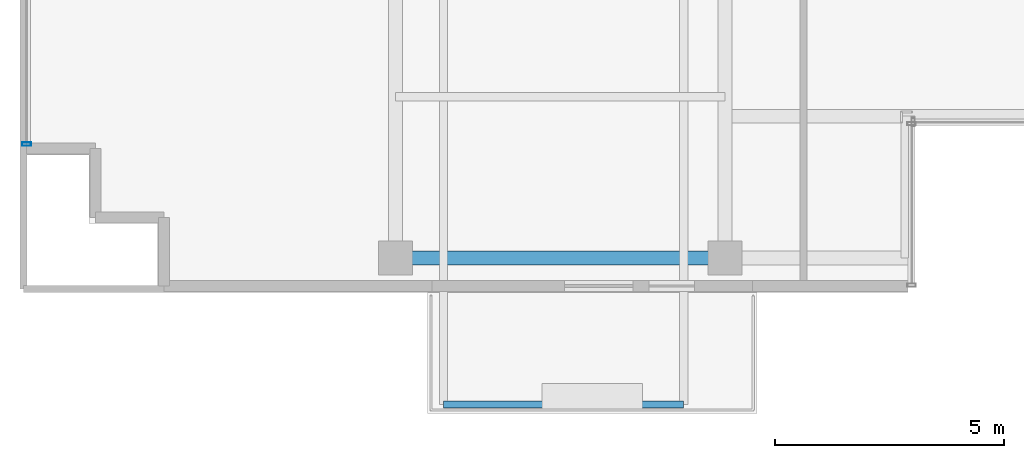
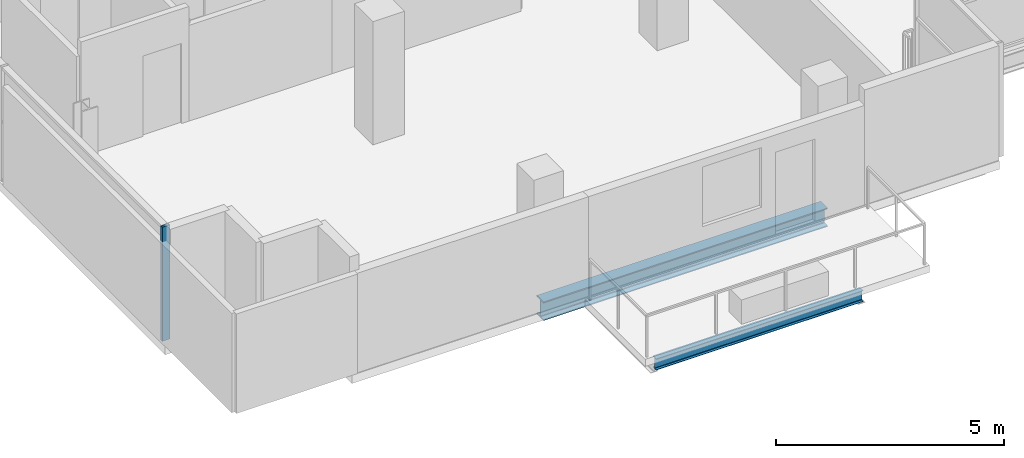
# One storey, part 2 of 21: 2 beams, 1 member, 1 element without a shape of its own.
"""IFC4 building model written with IfcOpenShell, lengths in metres."""

import ifcopenshell
import ifcopenshell.guid

model = None  # the IFC model being written
_history = None  # IfcOwnerHistory: only IFC2X3 demands one
_inside = {}  # id of a spatial element -> (the spatial element, [elements in it])
_under = {}  # id of a project, library or spatial element -> (it, [spatial elements below it])
_declared = {}  # id of a project -> (the project, [libraries it declares])
_typed = {}  # id of a type object -> (the type object, [elements of that type])
_made_of = {}  # id of a material, layer set ... -> (it, [elements and type objects made of it])


def new_model(schema):
    """Start an empty IFC model of exactly this schema.

    Asked for "IFC4X3", IfcOpenShell would pick the latest addendum, in which some entities
    have other attributes; the version numbers below select the first issue.
    IFC2X3 requires an IfcOwnerHistory on every rooted entity: one is made here for all.
    """
    global model, _history
    if schema == "IFC4X3":
        model = ifcopenshell.file(schema_version=(4, 3, 0, 0))
    else:
        model = ifcopenshell.file(schema=schema)
    _inside.clear()
    _under.clear()
    _declared.clear()
    _typed.clear()
    _made_of.clear()
    _history = None
    if model.schema == "IFC2X3":
        org = make("IfcOrganization", Name="unknown")
        user = make(
            "IfcPersonAndOrganization",
            ThePerson=make("IfcPerson", FamilyName="unknown"),
            TheOrganization=org,
        )
        app = make(
            "IfcApplication",
            ApplicationDeveloper=org,
            Version="unknown",
            ApplicationFullName="unknown",
            ApplicationIdentifier="unknown",
        )
        _history = make(
            "IfcOwnerHistory",
            OwningUser=user,
            OwningApplication=app,
            ChangeAction="ADDED",
            CreationDate=0,
        )
    return model


def make(cls, **values):
    """One entity of the class cls with the attributes given. An attribute that is None is left unset."""
    return model.create_entity(
        cls, **{name: value for name, value in values.items() if value is not None}
    )


def rooted(cls, **values):
    """An entity with a GlobalId (a new one), such as an element, a storey or a relation."""
    return make(cls, GlobalId=ifcopenshell.guid.new(), OwnerHistory=_history, **values)


def si_unit(unit_type, name, prefix=None):
    """IfcSIUnit, for example si_unit("LENGTHUNIT", "METRE", prefix="MILLI")."""
    return make("IfcSIUnit", UnitType=unit_type, Prefix=prefix, Name=name)


def assignment(units):
    """IfcUnitAssignment: the units of a project."""
    return None if units is None else make("IfcUnitAssignment", Units=units)


def point(xyz):
    """IfcCartesianPoint."""
    return None if xyz is None else make("IfcCartesianPoint", Coordinates=xyz)


def direction(xyz):
    """IfcDirection."""
    return None if xyz is None else make("IfcDirection", DirectionRatios=xyz)


def frame(location, z_axis=None, x_axis=None):
    """IfcAxis2Placement3D, a coordinate frame: its origin and axes. An axis left out is left unset."""
    return make(
        "IfcAxis2Placement3D",
        Location=point(location),
        Axis=direction(z_axis),
        RefDirection=direction(x_axis),
    )


def frame_2d(location, x_axis=None):
    """IfcAxis2Placement2D, a coordinate frame in the plane: its origin and x axis."""
    return make(
        "IfcAxis2Placement2D", Location=point(location), RefDirection=direction(x_axis)
    )


def origin():
    """The frame at (0, 0, 0) with its axes left unset."""
    return frame((0.0, 0.0, 0.0))


def origin_2d():
    """The frame at (0, 0) in the plane with its x axis left unset."""
    return frame_2d((0.0, 0.0))


def place(relative_to, where):
    """IfcLocalPlacement: puts the frame where relative to a parent placement (None: the world)."""
    return make(
        "IfcLocalPlacement", PlacementRelTo=relative_to, RelativePlacement=where
    )


def context(
    kind, dimensions, precision=None, world=None, true_north=None, identifier=None
):
    """IfcGeometricRepresentationContext, for example the 3D "Model" context."""
    return make(
        "IfcGeometricRepresentationContext",
        ContextIdentifier=identifier,
        ContextType=kind,
        CoordinateSpaceDimension=dimensions,
        Precision=precision,
        WorldCoordinateSystem=world,
        TrueNorth=true_north,
    )


def subcontext(parent, identifier, kind, view, scale=None):
    """IfcGeometricRepresentationSubContext, for example "Body" below "Model"."""
    return make(
        "IfcGeometricRepresentationSubContext",
        ContextIdentifier=identifier,
        ContextType=kind,
        ParentContext=parent,
        TargetScale=scale,
        TargetView=view,
    )


def project(units=None, contexts=None):
    """IfcProject with its units and contexts."""
    return rooted(
        "IfcProject",
        Name="project",
        RepresentationContexts=contexts,
        UnitsInContext=assignment(units),
    )


def spatial(cls, under=None, at=None, **own):
    """A site, building, storey or space (cls), placed at a placement, below another one or the project."""
    s = rooted(cls, ObjectPlacement=at, **own)
    if under is not None:
        _under.setdefault(under.id(), (under, []))[1].append(s)
    return s


def profile(cls, at=None, kind="AREA", **sizes):
    """A parametric profile (cls). Its sizes go by their IFC names, for example OverallWidth=200.0."""
    return make(cls, ProfileType=kind, Position=at, **sizes)


def hollow_rectangle(**sizes):
    """IfcRectangleHollowProfileDef."""
    return profile("IfcRectangleHollowProfileDef", **sizes)


def i_section(**sizes):
    """IfcIShapeProfileDef."""
    return profile("IfcIShapeProfileDef", **sizes)


def extrude(swept, where, along, depth):
    """IfcExtrudedAreaSolid: the profile swept, set in the frame where, extruded along a direction by depth."""
    return make(
        "IfcExtrudedAreaSolid",
        SweptArea=swept,
        Position=where,
        ExtrudedDirection=direction(along),
        Depth=depth,
    )


def shape(context_of_items, identifier, shape_type, items):
    """IfcShapeRepresentation: the items that make up one representation, for example the "Body"."""
    return make(
        "IfcShapeRepresentation",
        ContextOfItems=context_of_items,
        RepresentationIdentifier=identifier,
        RepresentationType=shape_type,
        Items=items,
    )


def source(mapping_origin, context_of_items, identifier, shape_type, items):
    """IfcRepresentationMap: a shape defined once, which mapped items show again and again."""
    return make(
        "IfcRepresentationMap",
        MappingOrigin=mapping_origin,
        MappedRepresentation=shape(context_of_items, identifier, shape_type, items),
    )


def transform(
    local_origin,
    x_axis=None,
    y_axis=None,
    z_axis=None,
    scale=None,
    scale2=None,
    scale3=None,
    uniform=True,
):
    """IfcCartesianTransformationOperator3D, or its non-uniform kind. x_axis, y_axis, z_axis: its Axis1, 2, 3."""
    if uniform:
        return make(
            "IfcCartesianTransformationOperator3D",
            Axis1=direction(x_axis),
            Axis2=direction(y_axis),
            LocalOrigin=point(local_origin),
            Scale=scale,
            Axis3=direction(z_axis),
        )
    return make(
        "IfcCartesianTransformationOperator3DnonUniform",
        Axis1=direction(x_axis),
        Axis2=direction(y_axis),
        LocalOrigin=point(local_origin),
        Scale=scale,
        Axis3=direction(z_axis),
        Scale2=scale2,
        Scale3=scale3,
    )


def mapped(mapping_source, mapping_target):
    """IfcMappedItem: shows the shape of a source again, moved by a transform."""
    return make(
        "IfcMappedItem", MappingSource=mapping_source, MappingTarget=mapping_target
    )


def material(Name=None, Category=None):
    """IfcMaterial."""
    return make("IfcMaterial", Name=Name, Category=Category)


def layer(
    of_material, thickness, ventilated=None, Name=None, Category=None, Priority=None
):
    """IfcMaterialLayer: one layer of a wall or slab, of a material (None: an air gap)."""
    return make(
        "IfcMaterialLayer",
        Material=of_material,
        LayerThickness=thickness,
        IsVentilated=ventilated,
        Name=Name,
        Category=Category,
        Priority=Priority,
    )


def layer_set(layers, Name=None):
    """IfcMaterialLayerSet."""
    return make("IfcMaterialLayerSet", MaterialLayers=layers, LayerSetName=Name)


def material_profile(
    of_material, cross_section, Name=None, Category=None, Priority=None
):
    """IfcMaterialProfile: a cross section and its material."""
    return make(
        "IfcMaterialProfile",
        Name=Name,
        Material=of_material,
        Profile=cross_section,
        Priority=Priority,
        Category=Category,
    )


def profile_set(profiles, Name=None, composite=None):
    """IfcMaterialProfileSet."""
    return make(
        "IfcMaterialProfileSet",
        Name=Name,
        MaterialProfiles=profiles,
        CompositeProfile=composite,
    )


def made_of(thing, what):
    """Note that an element or type object is made of a material, layer set ...; save() writes the relation."""
    if what is not None:
        _made_of.setdefault(what.id(), (what, []))[1].append(thing)
    return thing


def type_object(cls, material=None, **own):
    """A type object (cls), such as IfcWallType, which elements share."""
    return made_of(rooted(cls, **own), material)


def element(
    cls,
    number,
    at=None,
    inside=None,
    cuts=None,
    type_object=None,
    material=None,
    context=None,
    identifier="Body",
    shape_type=None,
    held_by="IfcProductDefinitionShape",
    body=None,
    shapes=None,
    **own,
):
    """One element of the class cls, such as IfcWall. Its Tag is "e" and its number.

    at: its placement. inside: the storey or other place that contains it. cuts: it is an
    opening in that element (IfcRelVoidsElement). A single representation is given by context,
    identifier, shape_type and body (its items); several are given by shapes. held_by: the class
    of the entity that holds the representations. save() writes the other relations.
    """
    e = rooted(cls, Tag="e%d" % number, ObjectPlacement=at, **own)
    if body is not None:
        shapes = [shape(context, identifier, shape_type, body)]
    if shapes is not None:
        e.Representation = make(held_by, Representations=shapes)
    if inside is not None:
        _inside.setdefault(inside.id(), (inside, []))[1].append(e)
    if cuts is not None:
        rooted(
            "IfcRelVoidsElement", RelatingBuildingElement=cuts, RelatedOpeningElement=e
        )
    if type_object is not None:
        _typed.setdefault(type_object.id(), (type_object, []))[1].append(e)
    return made_of(e, material)


def aggregate(whole, parts):
    """IfcRelAggregates: a whole, such as a stair, and the parts it consists of."""
    return rooted("IfcRelAggregates", RelatingObject=whole, RelatedObjects=parts)


def save(model, path):
    """Write the relations noted so far, then the file.

    IfcRelAggregates (storeys below a building ...), IfcRelContainedInSpatialStructure (elements
    in a storey), IfcRelDefinesByType, IfcRelAssociatesMaterial and IfcRelDeclares: one each for
    every whole, place, type object, material and project.
    """
    for whole, parts in _under.values():
        aggregate(whole, parts)
    for where, things in _inside.values():
        rooted(
            "IfcRelContainedInSpatialStructure",
            RelatedElements=things,
            RelatingStructure=where,
        )
    for kind, things in _typed.values():
        rooted("IfcRelDefinesByType", RelatedObjects=things, RelatingType=kind)
    for what, things in _made_of.values():
        rooted("IfcRelAssociatesMaterial", RelatedObjects=things, RelatingMaterial=what)
    for by, libraries in _declared.values():
        rooted("IfcRelDeclares", RelatingContext=by, RelatedDefinitions=libraries)
    model.write(path)


model = new_model("IFC4")

# Units and contexts
model_context = context("Model", 3, precision=1e-05, world=origin(), true_north=direction((0.0, 1.0)))
body_context = subcontext(model_context, "Body", "Model", "MODEL_VIEW")
ifc_project = project(units=[si_unit("LENGTHUNIT", "METRE"), si_unit("AREAUNIT", "SQUARE_METRE"), si_unit("VOLUMEUNIT", "CUBIC_METRE"), si_unit("PLANEANGLEUNIT", "RADIAN"), si_unit("MASSUNIT", "GRAM", prefix="KILO")], contexts=[model_context])

# Site, building, storey
site_placement = place(None, origin())
site = spatial("IfcSite", under=ifc_project, at=site_placement, CompositionType="ELEMENT")
building_placement = place(site_placement, origin())
building = spatial("IfcBuilding", under=site, at=building_placement, Name="Zarnakvel Exchange Tower", CompositionType="ELEMENT")
storey_placement = place(building_placement, frame((0.0, 0.0, 189.10009765625)))
storey = spatial("IfcBuildingStorey", under=building, at=storey_placement, Name="L53", CompositionType="ELEMENT", Elevation=189.10009765625)

# Beams
ifc_material_1 = material(Name="Steel S355", Category="steel")
ifc_material_profile_1 = material_profile(ifc_material_1, i_section(OverallWidth=0.14990234375, OverallDepth=0.300048828125, WebThickness=0.007080078125, FlangeThickness=0.0107421875, FilletRadius=0.014892578125, at=origin_2d()))
ifc_profile_set_1 = profile_set([ifc_material_profile_1], Name="Steel S355")
beam_type_1 = type_object("IfcBeamType", Name="B-08", PredefinedType="JOIST", material=ifc_profile_set_1)
beam_1_placement = place(storey_placement, frame((-13.35009765625, -19.85009765625, -0.375), z_axis=(1.0, 0.0, 0.0), x_axis=(0.0, 1.0, 0.0)))
element("IfcBeam", 1, at=beam_1_placement, inside=storey, type_object=beam_type_1, Name="L53 Balcony Edge Beam", PredefinedType="JOIST", context=body_context, shape_type="SweptSolid", body=[
    extrude(i_section(OverallWidth=0.14990234375, OverallDepth=0.300048828125, WebThickness=0.007080078125, FlangeThickness=0.0107421875, FilletRadius=0.014892578125, at=origin_2d()), origin(), (0.0, 0.0, 1.0), 5.25),
])
ifc_material_profile_2 = material_profile(ifc_material_1, i_section(OverallWidth=0.300048828125, OverallDepth=0.5, WebThickness=0.014404296875, FlangeThickness=0.028076171875, FilletRadius=0.027099609375, at=origin_2d()))
ifc_profile_set_2 = profile_set([ifc_material_profile_2], Name="Steel S355")
beam_type_2 = type_object("IfcBeamType", Name="SP-02", PredefinedType="SPANDREL", material=ifc_profile_set_2)
beam_2_placement = place(storey_placement, frame((-14.39990234375, -16.64990234375, -0.47509765625), z_axis=(1.0, 0.0, 0.0), x_axis=(0.0, 1.0, 0.0)))
element("IfcBeam", 2, at=beam_2_placement, inside=storey, type_object=beam_type_2, Name="L53 Tower E-W Frame Beam", PredefinedType="SPANDREL", context=body_context, shape_type="SweptSolid", body=[
    extrude(i_section(OverallWidth=0.300048828125, OverallDepth=0.5, WebThickness=0.014404296875, FlangeThickness=0.028076171875, FilletRadius=0.027099609375, at=origin_2d()), origin(), (0.0, 0.0, 1.0), 7.199951171875),
])

# Curtain wall, member
ifc_material_2 = material(Name="Architectural Bronze Anodised Aluminium", Category="aluminium")
ifc_layer = layer(ifc_material_2, 0.199951171875)
ifc_layer_set = layer_set([ifc_layer], Name="Architectural Bronze Anodised Aluminium")
curtain_wall_type = type_object("IfcCurtainWallType", Name="CW-04", PredefinedType="NOTDEFINED", material=ifc_layer_set)
curtain_wall_placement = place(storey_placement, origin())
curtain_wall = element("IfcCurtainWall", 3, at=curtain_wall_placement, inside=storey, type_object=curtain_wall_type, Name="L53 Curtain Wall CW-L53-W1 (CW-04)", PredefinedType="NOTDEFINED")
ifc_material_profile_3 = material_profile(ifc_material_2, hollow_rectangle(XDim=0.199951171875, YDim=0.074951171875, WallThickness=0.0048828125, at=origin_2d()))
ifc_profile_set_3 = profile_set([ifc_material_profile_3], Name="Architectural Bronze Anodised Aluminium")
member_type = type_object("IfcMemberType", Name="CWM-04", PredefinedType="MULLION", material=ifc_profile_set_3)
shared_shape = source(origin(), body_context, "Body", "SweptSolid", [
    extrude(hollow_rectangle(XDim=0.199951171875, YDim=0.074951171875, WallThickness=0.0048828125, at=origin_2d()), origin(), (0.0, 0.0, 1.0), 3.054931640625),
])
member_placement = place(storey_placement, frame((-22.4599609375, -14.16259765625, 0.0), z_axis=(0.0, 0.0, 1.0), x_axis=(-1.0, 0.0, 0.0)))
member = element("IfcMember", 4, at=member_placement, type_object=member_type, Name="CW-04 mullion 1", PredefinedType="MULLION", context=body_context, shape_type="MappedRepresentation", body=[
    mapped(shared_shape, transform((0.0, 0.0, 0.0), x_axis=(1.0, 0.0, 0.0), y_axis=(0.0, 1.0, 0.0), z_axis=(0.0, 0.0, 1.0), scale=1.0)),
])
aggregate(curtain_wall, [member])

save(model, "model.ifc")
